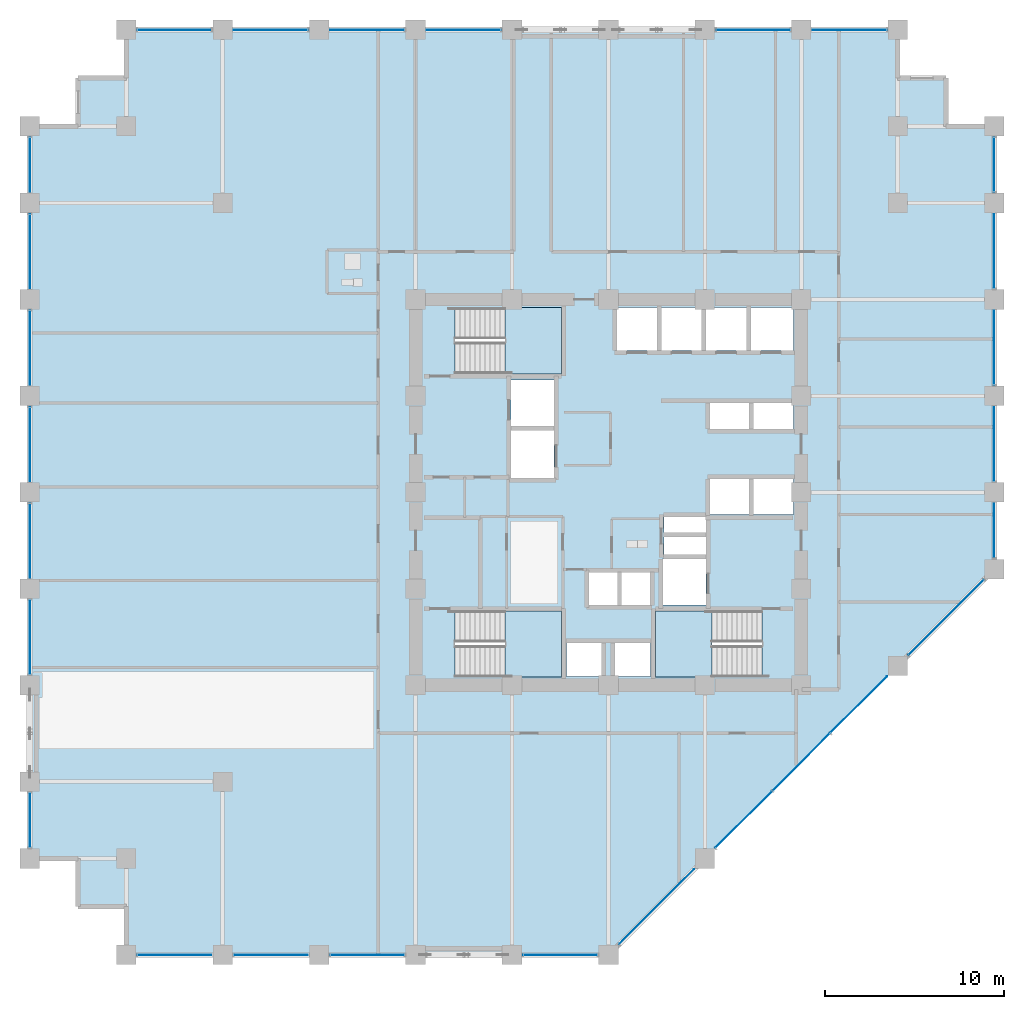
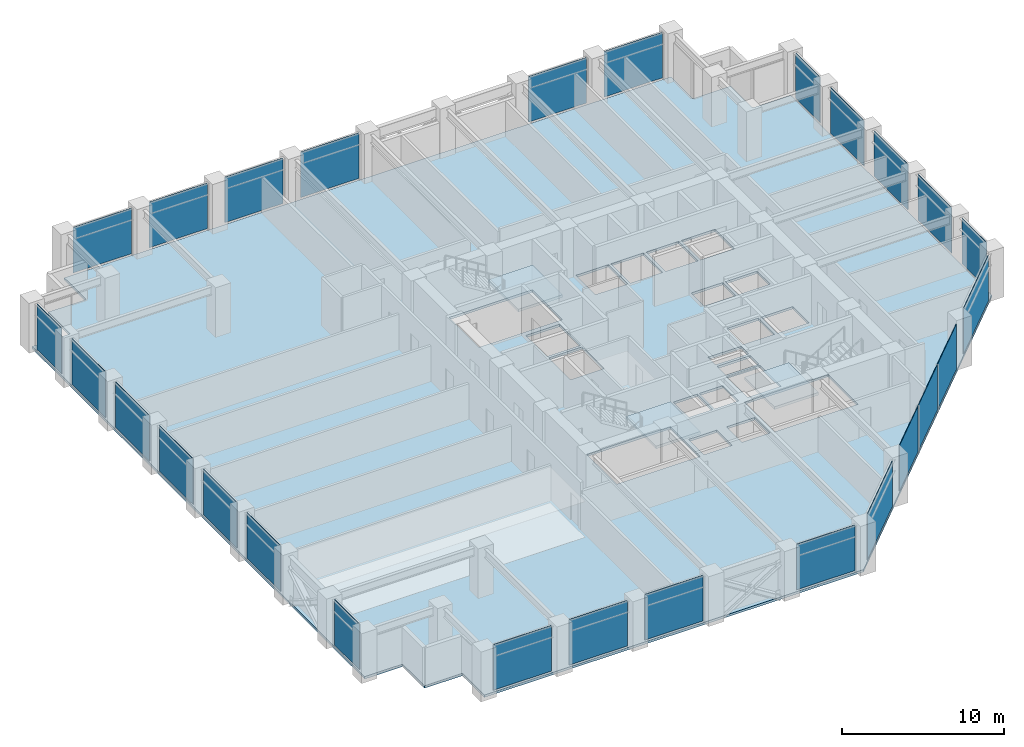
# One storey, part 17 of 25: 27 plates, 4 slabs, 11 elements without a shape of their own.
"""IFC4 building model written with IfcOpenShell, lengths in metres."""

from ifc_helpers import new_model, si_unit, direction, frame, frame_2d, origin, place, context, subcontext, project, spatial, polyline, rectangle, outline, extrude, material, layer, layer_set, type_object, element, aggregate, save


model = new_model("IFC4")

# Units and contexts
model_context = context("Model", 3, precision=1e-05, world=origin(), true_north=direction((0.0, 1.0)))
body_context = subcontext(model_context, "Body", "Model", "MODEL_VIEW")
ifc_project = project(units=[si_unit("LENGTHUNIT", "METRE"), si_unit("AREAUNIT", "SQUARE_METRE"), si_unit("VOLUMEUNIT", "CUBIC_METRE"), si_unit("PLANEANGLEUNIT", "RADIAN"), si_unit("MASSUNIT", "GRAM", prefix="KILO")], contexts=[model_context])

# Site, building, storey
site_placement = place(None, origin())
site = spatial("IfcSite", under=ifc_project, at=site_placement, CompositionType="ELEMENT")
building_placement = place(site_placement, origin())
building = spatial("IfcBuilding", under=site, at=building_placement, Name="Surkhivell Harbour Commons", CompositionType="ELEMENT")
storey_placement = place(building_placement, frame((0.0, 0.0, 113.25)))
storey = spatial("IfcBuildingStorey", under=building, at=storey_placement, Name="L29", CompositionType="ELEMENT", Elevation=113.25)

# Curtain wall, plates
ifc_material_1 = material(Name="Anodised pale-metal aluminium and insulated glazing", Category="aluminium")
ifc_layer_1 = layer(ifc_material_1, 0.205078125)
ifc_layer_set_1 = layer_set([ifc_layer_1], Name="Anodised pale-metal aluminium and insulated glazing")
curtain_wall_type = type_object("IfcCurtainWallType", Name="CW-SYS-Z2", PredefinedType="NOTDEFINED", material=ifc_layer_set_1)
curtain_wall_1_placement = place(storey_placement, origin())
curtain_wall_1 = element("IfcCurtainWall", 1, at=curtain_wall_1_placement, inside=storey, type_object=curtain_wall_type, Name="L29 Curtain Wall CW-L29-E00S1", PredefinedType="NOTDEFINED")
ifc_material_2 = material(Name="High-pressure typhoon laminated vision glass", Category="glass")
ifc_layer_2 = layer(ifc_material_2, 0.035888671875)
ifc_layer_set_2 = layer_set([ifc_layer_2], Name="High-pressure typhoon laminated vision glass")
plate_type = type_object("IfcPlateType", Name="CWP-GLZ-36", PredefinedType="CURTAIN_PANEL", material=ifc_layer_set_2)
plate_1_placement = place(storey_placement, frame((-26.373046875, -25.89990234375, 0.14990234375), z_axis=(0.0, 0.0, 1.0), x_axis=(1.0, 0.0, 0.0)))
plate_1 = element("IfcPlate", 2, at=plate_1_placement, type_object=plate_type, Name="CW-Z2 panel 1.1", PredefinedType="CURTAIN_PANEL", context=body_context, shape_type="SweptSolid", body=[
    extrude(rectangle(XDim=4.14599609375, YDim=0.035888671875, at=frame_2d((2.072998046875, 0.0))), origin(), (0.0, 0.0, 1.0), 3.420166015625),
])
plate_2_placement = place(storey_placement, frame((-20.972900390625, -25.89990234375, 0.14990234375), z_axis=(0.0, 0.0, 1.0), x_axis=(1.0, 0.0, 0.0)))
plate_2 = element("IfcPlate", 3, at=plate_2_placement, type_object=plate_type, Name="CW-Z2 panel 2.1", PredefinedType="CURTAIN_PANEL", context=body_context, shape_type="SweptSolid", body=[
    extrude(rectangle(XDim=4.14599609375, YDim=0.035888671875, at=frame_2d((2.072998046875, 0.0))), origin(), (0.0, 0.0, 1.0), 3.420166015625),
])
plate_3_placement = place(storey_placement, frame((-15.572998046875, -25.89990234375, 0.14990234375), z_axis=(0.0, 0.0, 1.0), x_axis=(1.0, 0.0, 0.0)))
plate_3 = element("IfcPlate", 4, at=plate_3_placement, type_object=plate_type, Name="CW-Z2 panel 3.1", PredefinedType="CURTAIN_PANEL", context=body_context, shape_type="SweptSolid", body=[
    extrude(rectangle(XDim=4.14599609375, YDim=0.035888671875, at=frame_2d((2.072998046875, 0.0))), origin(), (0.0, 0.0, 1.0), 3.420166015625),
])
aggregate(curtain_wall_1, [plate_1, plate_2, plate_3])

# Curtain wall, plate
curtain_wall_2_placement = place(storey_placement, origin())
curtain_wall_2 = element("IfcCurtainWall", 5, at=curtain_wall_2_placement, inside=storey, type_object=curtain_wall_type, Name="L29 Curtain Wall CW-L29-E00S2", PredefinedType="NOTDEFINED")
plate_4_placement = place(storey_placement, frame((-4.77294921875, -25.89990234375, 0.14990234375), z_axis=(0.0, 0.0, 1.0), x_axis=(1.0, 0.0, 0.0)))
plate_4 = element("IfcPlate", 6, at=plate_4_placement, type_object=plate_type, Name="CW-Z2 panel 1.1", PredefinedType="CURTAIN_PANEL", context=body_context, shape_type="SweptSolid", body=[
    extrude(rectangle(XDim=4.14599609375, YDim=0.035888671875, at=frame_2d((2.072998046875, 0.0))), origin(), (0.0, 0.0, 1.0), 3.420166015625),
])
aggregate(curtain_wall_2, [plate_4])

# Curtain wall, plates
curtain_wall_3_placement = place(storey_placement, origin())
curtain_wall_3 = element("IfcCurtainWall", 7, at=curtain_wall_3_placement, inside=storey, type_object=curtain_wall_type, Name="L29 Curtain Wall CW-L29-E01", PredefinedType="NOTDEFINED")
plate_5_placement = place(storey_placement, frame((0.604736328125, -25.295166015625, 0.14990234375), z_axis=(0.0, 0.0, 1.0), x_axis=(0.707106781187, 0.707106781187, 0.0)))
plate_5 = element("IfcPlate", 8, at=plate_5_placement, type_object=plate_type, Name="CW-Z2 panel 1.1", PredefinedType="CURTAIN_PANEL", context=body_context, shape_type="SweptSolid", body=[
    extrude(rectangle(XDim=5.92626953125, YDim=0.035888671875, at=frame_2d((2.963134765625, 0.0))), origin(), (0.0, 0.0, 1.0), 3.420166015625),
])
plate_6_placement = place(storey_placement, frame((6.004638671875, -19.895263671875, 0.14990234375), z_axis=(0.0, 0.0, 1.0), x_axis=(0.707134159244, 0.707079402069, 0.0)))
plate_6 = element("IfcPlate", 9, at=plate_6_placement, type_object=plate_type, Name="CW-Z2 panel 2.1", PredefinedType="CURTAIN_PANEL", context=body_context, shape_type="SweptSolid", body=[
    extrude(rectangle(XDim=4.45849609375, YDim=0.035888671875, at=frame_2d((2.229248046875, 0.0))), origin(), (0.0, 0.0, 1.0), 3.420166015625),
])
plate_7_placement = place(storey_placement, frame((9.21044921875, -16.689697265625, 0.14990234375), z_axis=(0.0, 0.0, 1.0), x_axis=(0.707106781187, 0.707106781187, 0.0)))
plate_7 = element("IfcPlate", 10, at=plate_7_placement, type_object=plate_type, Name="CW-Z2 panel 3.1", PredefinedType="CURTAIN_PANEL", context=body_context, shape_type="SweptSolid", body=[
    extrude(rectangle(XDim=4.49609375, YDim=0.035888671875, at=frame_2d((2.248046875, 0.0))), origin(), (0.0, 0.0, 1.0), 3.420166015625),
])
plate_8_placement = place(storey_placement, frame((12.442626953125, -13.457275390625, 0.14990234375), z_axis=(0.0, 0.0, 1.0), x_axis=(0.707106781187, 0.707106781187, 0.0)))
plate_8 = element("IfcPlate", 11, at=plate_8_placement, type_object=plate_type, Name="CW-Z2 panel 4.1", PredefinedType="CURTAIN_PANEL", context=body_context, shape_type="SweptSolid", body=[
    extrude(rectangle(XDim=4.45849609375, YDim=0.035888671875, at=frame_2d((2.229248046875, 0.0))), origin(), (0.0, 0.0, 1.0), 3.420166015625),
])
plate_9_placement = place(storey_placement, frame((16.8046875, -9.09521484375, 0.14990234375), z_axis=(0.0, 0.0, 1.0), x_axis=(0.707127378829, 0.707086182944, 0.0)))
plate_9 = element("IfcPlate", 12, at=plate_9_placement, type_object=plate_type, Name="CW-Z2 panel 5.1", PredefinedType="CURTAIN_PANEL", context=body_context, shape_type="SweptSolid", body=[
    extrude(rectangle(XDim=5.92626953125, YDim=0.035888671875, at=frame_2d((2.963134765625, 0.0))), origin(), (0.0, 0.0, 1.0), 3.420166015625),
])
aggregate(curtain_wall_3, [plate_5, plate_6, plate_7, plate_8, plate_9])

curtain_wall_4_placement = place(storey_placement, origin())
curtain_wall_4 = element("IfcCurtainWall", 13, at=curtain_wall_4_placement, inside=storey, type_object=curtain_wall_type, Name="L29 Curtain Wall CW-L29-E02", PredefinedType="NOTDEFINED")
plate_10_placement = place(storey_placement, frame((21.60009765625, -3.673095703125, 0.14990234375), z_axis=(0.0, 0.0, 1.0), x_axis=(0.0, 1.0, 0.0)))
plate_10 = element("IfcPlate", 14, at=plate_10_placement, type_object=plate_type, Name="CW-Z2 panel 1.1", PredefinedType="CURTAIN_PANEL", context=body_context, shape_type="SweptSolid", body=[
    extrude(rectangle(XDim=3.046142578125, YDim=0.035888671875, at=frame_2d((1.52294921875, 0.0))), origin(), (0.0, 0.0, 1.0), 3.420166015625),
])
plate_11_placement = place(storey_placement, frame((21.60009765625, 0.626953125, 0.14990234375), z_axis=(0.0, 0.0, 1.0), x_axis=(0.0, 1.0, 0.0)))
plate_11 = element("IfcPlate", 15, at=plate_11_placement, type_object=plate_type, Name="CW-Z2 panel 2.1", PredefinedType="CURTAIN_PANEL", context=body_context, shape_type="SweptSolid", body=[
    extrude(rectangle(XDim=4.14599609375, YDim=0.035888671875, at=frame_2d((2.072998046875, 0.0))), origin(), (0.0, 0.0, 1.0), 3.420166015625),
])
plate_12_placement = place(storey_placement, frame((21.60009765625, 6.027099609375, 0.14990234375), z_axis=(0.0, 0.0, 1.0), x_axis=(0.0, 1.0, 0.0)))
plate_12 = element("IfcPlate", 16, at=plate_12_placement, type_object=plate_type, Name="CW-Z2 panel 3.1", PredefinedType="CURTAIN_PANEL", context=body_context, shape_type="SweptSolid", body=[
    extrude(rectangle(XDim=4.14599609375, YDim=0.035888671875, at=frame_2d((2.072998046875, 0.0))), origin(), (0.0, 0.0, 1.0), 3.420166015625),
])
plate_13_placement = place(storey_placement, frame((21.60009765625, 11.427001953125, 0.14990234375), z_axis=(0.0, 0.0, 1.0), x_axis=(0.0, 1.0, 0.0)))
plate_13 = element("IfcPlate", 17, at=plate_13_placement, type_object=plate_type, Name="CW-Z2 panel 4.1", PredefinedType="CURTAIN_PANEL", context=body_context, shape_type="SweptSolid", body=[
    extrude(rectangle(XDim=4.14599609375, YDim=0.035888671875, at=frame_2d((2.072998046875, 0.0))), origin(), (0.0, 0.0, 1.0), 3.420166015625),
])
plate_14_placement = place(storey_placement, frame((21.60009765625, 16.826904296875, 0.14990234375), z_axis=(0.0, 0.0, 1.0), x_axis=(0.0, 1.0, 0.0)))
plate_14 = element("IfcPlate", 18, at=plate_14_placement, type_object=plate_type, Name="CW-Z2 panel 5.1", PredefinedType="CURTAIN_PANEL", context=body_context, shape_type="SweptSolid", body=[
    extrude(rectangle(XDim=3.046142578125, YDim=0.035888671875, at=frame_2d((1.52294921875, 0.0))), origin(), (0.0, 0.0, 1.0), 3.420166015625),
])
aggregate(curtain_wall_4, [plate_10, plate_11, plate_12, plate_13, plate_14])

curtain_wall_5_placement = place(storey_placement, origin())
curtain_wall_5 = element("IfcCurtainWall", 19, at=curtain_wall_5_placement, inside=storey, type_object=curtain_wall_type, Name="L29 Curtain Wall CW-L29-E07S1", PredefinedType="NOTDEFINED")
plate_15_placement = place(storey_placement, frame((15.572998046875, 25.89990234375, 0.14990234375), z_axis=(0.0, 0.0, 1.0), x_axis=(-1.0, 0.0, 0.0)))
plate_15 = element("IfcPlate", 20, at=plate_15_placement, type_object=plate_type, Name="CW-Z2 panel 1.1", PredefinedType="CURTAIN_PANEL", context=body_context, shape_type="SweptSolid", body=[
    extrude(rectangle(XDim=4.14599609375, YDim=0.035888671875, at=frame_2d((2.072998046875, 0.0))), origin(), (0.0, 0.0, 1.0), 3.420166015625),
])
plate_16_placement = place(storey_placement, frame((10.173095703125, 25.89990234375, 0.14990234375), z_axis=(0.0, 0.0, 1.0), x_axis=(-1.0, 0.0, 0.0)))
plate_16 = element("IfcPlate", 21, at=plate_16_placement, type_object=plate_type, Name="CW-Z2 panel 2.1", PredefinedType="CURTAIN_PANEL", context=body_context, shape_type="SweptSolid", body=[
    extrude(rectangle(XDim=4.14599609375, YDim=0.035888671875, at=frame_2d((2.072998046875, 0.0))), origin(), (0.0, 0.0, 1.0), 3.420166015625),
])
aggregate(curtain_wall_5, [plate_15, plate_16])

curtain_wall_6_placement = place(storey_placement, origin())
curtain_wall_6 = element("IfcCurtainWall", 22, at=curtain_wall_6_placement, inside=storey, type_object=curtain_wall_type, Name="L29 Curtain Wall CW-L29-E07S2", PredefinedType="NOTDEFINED")
plate_17_placement = place(storey_placement, frame((-6.027099609375, 25.89990234375, 0.14990234375), z_axis=(0.0, 0.0, 1.0), x_axis=(-1.0, 0.0, 0.0)))
plate_17 = element("IfcPlate", 23, at=plate_17_placement, type_object=plate_type, Name="CW-Z2 panel 1.1", PredefinedType="CURTAIN_PANEL", context=body_context, shape_type="SweptSolid", body=[
    extrude(rectangle(XDim=4.14599609375, YDim=0.035888671875, at=frame_2d((2.072998046875, 0.0))), origin(), (0.0, 0.0, 1.0), 3.420166015625),
])
plate_18_placement = place(storey_placement, frame((-11.427001953125, 25.89990234375, 0.14990234375), z_axis=(0.0, 0.0, 1.0), x_axis=(-1.0, 0.0, 0.0)))
plate_18 = element("IfcPlate", 24, at=plate_18_placement, type_object=plate_type, Name="CW-Z2 panel 2.1", PredefinedType="CURTAIN_PANEL", context=body_context, shape_type="SweptSolid", body=[
    extrude(rectangle(XDim=4.14599609375, YDim=0.035888671875, at=frame_2d((2.072998046875, 0.0))), origin(), (0.0, 0.0, 1.0), 3.420166015625),
])
plate_19_placement = place(storey_placement, frame((-16.826904296875, 25.89990234375, 0.14990234375), z_axis=(0.0, 0.0, 1.0), x_axis=(-1.0, 0.0, 0.0)))
plate_19 = element("IfcPlate", 25, at=plate_19_placement, type_object=plate_type, Name="CW-Z2 panel 3.1", PredefinedType="CURTAIN_PANEL", context=body_context, shape_type="SweptSolid", body=[
    extrude(rectangle(XDim=4.14599609375, YDim=0.035888671875, at=frame_2d((2.072998046875, 0.0))), origin(), (0.0, 0.0, 1.0), 3.420166015625),
])
plate_20_placement = place(storey_placement, frame((-22.22705078125, 25.89990234375, 0.14990234375), z_axis=(0.0, 0.0, 1.0), x_axis=(-1.0, 0.0, 0.0)))
plate_20 = element("IfcPlate", 26, at=plate_20_placement, type_object=plate_type, Name="CW-Z2 panel 4.1", PredefinedType="CURTAIN_PANEL", context=body_context, shape_type="SweptSolid", body=[
    extrude(rectangle(XDim=4.14599609375, YDim=0.035888671875, at=frame_2d((2.072998046875, 0.0))), origin(), (0.0, 0.0, 1.0), 3.420166015625),
])
aggregate(curtain_wall_6, [plate_17, plate_18, plate_19, plate_20])

curtain_wall_7_placement = place(storey_placement, origin())
curtain_wall_7 = element("IfcCurtainWall", 27, at=curtain_wall_7_placement, inside=storey, type_object=curtain_wall_type, Name="L29 Curtain Wall CW-L29-E12S1", PredefinedType="NOTDEFINED")
plate_21_placement = place(storey_placement, frame((-32.39990234375, 19.873046875, 0.14990234375), z_axis=(0.0, 0.0, 1.0), x_axis=(0.0, -1.0, 0.0)))
plate_21 = element("IfcPlate", 28, at=plate_21_placement, type_object=plate_type, Name="CW-Z2 panel 1.1", PredefinedType="CURTAIN_PANEL", context=body_context, shape_type="SweptSolid", body=[
    extrude(rectangle(XDim=3.046142578125, YDim=0.035888671875, at=frame_2d((1.52294921875, 0.0))), origin(), (0.0, 0.0, 1.0), 3.420166015625),
])
plate_22_placement = place(storey_placement, frame((-32.39990234375, 15.572998046875, 0.14990234375), z_axis=(0.0, 0.0, 1.0), x_axis=(0.0, -1.0, 0.0)))
plate_22 = element("IfcPlate", 29, at=plate_22_placement, type_object=plate_type, Name="CW-Z2 panel 2.1", PredefinedType="CURTAIN_PANEL", context=body_context, shape_type="SweptSolid", body=[
    extrude(rectangle(XDim=4.14599609375, YDim=0.035888671875, at=frame_2d((2.072998046875, 0.0))), origin(), (0.0, 0.0, 1.0), 3.420166015625),
])
plate_23_placement = place(storey_placement, frame((-32.39990234375, 10.173095703125, 0.14990234375), z_axis=(0.0, 0.0, 1.0), x_axis=(0.0, -1.0, 0.0)))
plate_23 = element("IfcPlate", 30, at=plate_23_placement, type_object=plate_type, Name="CW-Z2 panel 3.1", PredefinedType="CURTAIN_PANEL", context=body_context, shape_type="SweptSolid", body=[
    extrude(rectangle(XDim=4.14599609375, YDim=0.035888671875, at=frame_2d((2.072998046875, 0.0))), origin(), (0.0, 0.0, 1.0), 3.420166015625),
])
plate_24_placement = place(storey_placement, frame((-32.39990234375, 4.77294921875, 0.14990234375), z_axis=(0.0, 0.0, 1.0), x_axis=(0.0, -1.0, 0.0)))
plate_24 = element("IfcPlate", 31, at=plate_24_placement, type_object=plate_type, Name="CW-Z2 panel 4.1", PredefinedType="CURTAIN_PANEL", context=body_context, shape_type="SweptSolid", body=[
    extrude(rectangle(XDim=4.14599609375, YDim=0.035888671875, at=frame_2d((2.072998046875, 0.0))), origin(), (0.0, 0.0, 1.0), 3.420166015625),
])
plate_25_placement = place(storey_placement, frame((-32.39990234375, -0.626953125, 0.14990234375), z_axis=(0.0, 0.0, 1.0), x_axis=(0.0, -1.0, 0.0)))
plate_25 = element("IfcPlate", 32, at=plate_25_placement, type_object=plate_type, Name="CW-Z2 panel 5.1", PredefinedType="CURTAIN_PANEL", context=body_context, shape_type="SweptSolid", body=[
    extrude(rectangle(XDim=4.14599609375, YDim=0.035888671875, at=frame_2d((2.072998046875, 0.0))), origin(), (0.0, 0.0, 1.0), 3.420166015625),
])
plate_26_placement = place(storey_placement, frame((-32.39990234375, -6.027099609375, 0.14990234375), z_axis=(0.0, 0.0, 1.0), x_axis=(0.0, -1.0, 0.0)))
plate_26 = element("IfcPlate", 33, at=plate_26_placement, type_object=plate_type, Name="CW-Z2 panel 6.1", PredefinedType="CURTAIN_PANEL", context=body_context, shape_type="SweptSolid", body=[
    extrude(rectangle(XDim=4.14599609375, YDim=0.035888671875, at=frame_2d((2.072998046875, 0.0))), origin(), (0.0, 0.0, 1.0), 3.420166015625),
])
aggregate(curtain_wall_7, [plate_21, plate_22, plate_23, plate_24, plate_25, plate_26])

# Curtain wall, plate
curtain_wall_8_placement = place(storey_placement, origin())
curtain_wall_8 = element("IfcCurtainWall", 34, at=curtain_wall_8_placement, inside=storey, type_object=curtain_wall_type, Name="L29 Curtain Wall CW-L29-E12S2", PredefinedType="NOTDEFINED")
plate_27_placement = place(storey_placement, frame((-32.39990234375, -16.826904296875, 0.14990234375), z_axis=(0.0, 0.0, 1.0), x_axis=(0.0, -1.0, 0.0)))
plate_27 = element("IfcPlate", 35, at=plate_27_placement, type_object=plate_type, Name="CW-Z2 panel 1.1", PredefinedType="CURTAIN_PANEL", context=body_context, shape_type="SweptSolid", body=[
    extrude(rectangle(XDim=3.046142578125, YDim=0.035888671875, at=frame_2d((1.52294921875, 0.0))), origin(), (0.0, 0.0, 1.0), 3.420166015625),
])
aggregate(curtain_wall_8, [plate_27])

# Stair, slab
ifc_material_3 = material(Name="Precast concrete C45/55", Category="concrete")
stair_type = type_object("IfcStairType", Name="STR-DL-375", PredefinedType="HALF_TURN_STAIR", material=ifc_material_3)
stair_1_placement = place(storey_placement, origin())
stair_1 = element("IfcStair", 36, at=stair_1_placement, inside=storey, type_object=stair_type, Name="L29 Core Exit Stair ST1", PredefinedType="HALF_TURN_STAIR")
ifc_material_4 = material(Name="Reinforced concrete C45/55", Category="concrete")
ifc_layer_3 = layer(ifc_material_4, 0.199951171875)
ifc_layer_set_3 = layer_set([ifc_layer_3], Name="Reinforced concrete C45/55")
slab_type_1 = type_object("IfcSlabType", Name="SLB-ST-LND200", PredefinedType="LANDING", material=ifc_layer_set_3)
slab_1_placement = place(storey_placement, frame((0.0, 0.0, 1.675048828125)))
slab_1 = element("IfcSlab", 37, at=slab_1_placement, type_object=slab_type_1, Name="ST1 landing 1", PredefinedType="LANDING", context=body_context, shape_type="SweptSolid", body=[
    extrude(outline(polyline([(-5.7900390625, 6.639892578125), (-2.639892578125, 6.639892578125), (-2.639892578125, 10.340087890625), (-5.7900390625, 10.340087890625), (-5.7900390625, 6.639892578125)])), origin(), (0.0, 0.0, 1.0), 0.199951171875),
])
aggregate(stair_1, [slab_1])

stair_2_placement = place(storey_placement, origin())
stair_2 = element("IfcStair", 38, at=stair_2_placement, inside=storey, type_object=stair_type, Name="L29 Core Exit Stair ST2", PredefinedType="HALF_TURN_STAIR")
slab_2_placement = place(storey_placement, frame((0.0, 0.0, 1.675048828125)))
slab_2 = element("IfcSlab", 39, at=slab_2_placement, type_object=slab_type_1, Name="ST2 landing 1", PredefinedType="LANDING", context=body_context, shape_type="SweptSolid", body=[
    extrude(outline(polyline([(5.7900390625, -6.639892578125), (2.639892578125, -6.639892578125), (2.639892578125, -10.340087890625), (5.7900390625, -10.340087890625), (5.7900390625, -6.639892578125)])), origin(), (0.0, 0.0, 1.0), 0.199951171875),
])
aggregate(stair_2, [slab_2])

stair_3_placement = place(storey_placement, origin())
stair_3 = element("IfcStair", 40, at=stair_3_placement, inside=storey, type_object=stair_type, Name="L29 Core Exit Stair ST3", PredefinedType="HALF_TURN_STAIR")
slab_3_placement = place(storey_placement, frame((0.0, 0.0, 1.675048828125)))
slab_3 = element("IfcSlab", 41, at=slab_3_placement, type_object=slab_type_1, Name="ST3 landing 1", PredefinedType="LANDING", context=body_context, shape_type="SweptSolid", body=[
    extrude(outline(polyline([(-5.7900390625, -10.340087890625), (-2.639892578125, -10.340087890625), (-2.639892578125, -6.639892578125), (-5.7900390625, -6.639892578125), (-5.7900390625, -10.340087890625)])), origin(), (0.0, 0.0, 1.0), 0.199951171875),
])
aggregate(stair_3, [slab_3])

# Slab
ifc_material_5 = material(Name="Concrete C45/55", Category="concrete")
ifc_layer_4 = layer(ifc_material_5, 0.179931640625)
ifc_layer_set_4 = layer_set([ifc_layer_4], Name="Concrete C45/55")
slab_type_2 = type_object("IfcSlabType", Name="SLB-TYP-180", PredefinedType="FLOOR", material=ifc_layer_set_4)
slab_4_placement = place(storey_placement, frame((0.0, 0.0, -0.179931640625)))
element("IfcSlab", 42, at=slab_4_placement, inside=storey, type_object=slab_type_2, Name="L29 Structural Floor Slab", PredefinedType="FLOOR", context=body_context, shape_type="SweptSolid", body=[
    extrude(outline(polyline([(-27.0, -25.89990234375), (0.0, -25.89990234375), (21.60009765625, -4.300048828125), (21.60009765625, 20.5), (18.89990234375, 20.5), (18.89990234375, 23.199951171875), (16.199951171875, 23.199951171875), (16.199951171875, 25.89990234375), (-27.0, 25.89990234375), (-27.0, 23.199951171875), (-29.699951171875, 23.199951171875), (-29.699951171875, 20.5), (-32.39990234375, 20.5), (-32.39990234375, -20.5), (-29.699951171875, -20.5), (-29.699951171875, -23.199951171875), (-27.0, -23.199951171875), (-27.0, -25.89990234375)]), holes=[polyline([(-8.590087890625, 6.639892578125), (-2.639892578125, 6.639892578125), (-2.639892578125, 10.340087890625), (-8.590087890625, 10.340087890625), (-8.590087890625, 6.639892578125)]), polyline([(8.590087890625, -6.639892578125), (2.639892578125, -6.639892578125), (2.639892578125, -10.340087890625), (8.590087890625, -10.340087890625), (8.590087890625, -6.639892578125)]), polyline([(-8.590087890625, -10.340087890625), (-2.639892578125, -10.340087890625), (-2.639892578125, -6.639892578125), (-8.590087890625, -6.639892578125), (-8.590087890625, -10.340087890625)]), polyline([(0.449951171875, 7.949951171875), (2.75, 7.949951171875), (2.75, 10.35009765625), (0.449951171875, 10.35009765625), (0.449951171875, 7.949951171875)]), polyline([(2.949951171875, 7.949951171875), (5.25, 7.949951171875), (5.25, 10.35009765625), (2.949951171875, 10.35009765625), (2.949951171875, 7.949951171875)]), polyline([(5.449951171875, 7.949951171875), (7.75, 7.949951171875), (7.75, 10.35009765625), (5.449951171875, 10.35009765625), (5.449951171875, 7.949951171875)]), polyline([(7.949951171875, 7.949951171875), (10.35009765625, 7.949951171875), (10.35009765625, 10.35009765625), (7.949951171875, 10.35009765625), (7.949951171875, 7.949951171875)]), polyline([(5.64990234375, 3.550048828125), (7.89990234375, 3.550048828125), (7.89990234375, 5.14990234375), (5.64990234375, 5.14990234375), (5.64990234375, 3.550048828125)]), polyline([(8.10009765625, 3.550048828125), (10.35009765625, 3.550048828125), (10.35009765625, 5.14990234375), (8.10009765625, 5.14990234375), (8.10009765625, 3.550048828125)]), polyline([(5.64990234375, -1.25), (7.89990234375, -1.25), (7.89990234375, 0.75), (5.64990234375, 0.75), (5.64990234375, -1.25)]), polyline([(8.10009765625, -1.25), (10.35009765625, -1.25), (10.35009765625, 0.75), (8.10009765625, 0.75), (8.10009765625, -1.25)]), polyline([(-1.14990234375, -6.35009765625), (0.550048828125, -6.35009765625), (0.550048828125, -4.449951171875), (-1.14990234375, -4.449951171875), (-1.14990234375, -6.35009765625)]), polyline([(0.679931640625, -6.35009765625), (2.3798828125, -6.35009765625), (2.3798828125, -4.449951171875), (0.679931640625, -4.449951171875), (0.679931640625, -6.35009765625)]), polyline([(-2.35009765625, -10.300048828125), (-0.35009765625, -10.300048828125), (-0.35009765625, -8.39990234375), (-2.35009765625, -8.39990234375), (-2.35009765625, -10.300048828125)]), polyline([(0.35009765625, -10.300048828125), (2.35009765625, -10.300048828125), (2.35009765625, -8.39990234375), (0.35009765625, -8.39990234375), (0.35009765625, -10.300048828125)]), polyline([(-5.449951171875, 3.699951171875), (-3.050048828125, 3.699951171875), (-3.050048828125, 6.300048828125), (-5.449951171875, 6.300048828125), (-5.449951171875, 3.699951171875)]), polyline([(3.050048828125, -6.300048828125), (5.449951171875, -6.300048828125), (5.449951171875, -3.699951171875), (3.050048828125, -3.699951171875), (3.050048828125, -6.300048828125)]), polyline([(-5.449951171875, 0.800048828125), (-3.050048828125, 0.800048828125), (-3.050048828125, 3.5), (-5.449951171875, 3.5), (-5.449951171875, 0.800048828125)]), polyline([(3.10009765625, -3.550048828125), (5.449951171875, -3.550048828125), (5.449951171875, -2.47998046875), (3.10009765625, -2.47998046875), (3.10009765625, -3.550048828125)]), polyline([(3.10009765625, -2.280029296875), (5.449951171875, -2.280029296875), (5.449951171875, -1.35009765625), (3.10009765625, -1.35009765625), (3.10009765625, -2.280029296875)])]), origin(), (0.0, 0.0, 1.0), 0.179931640625),
])

save(model, "model.ifc")
